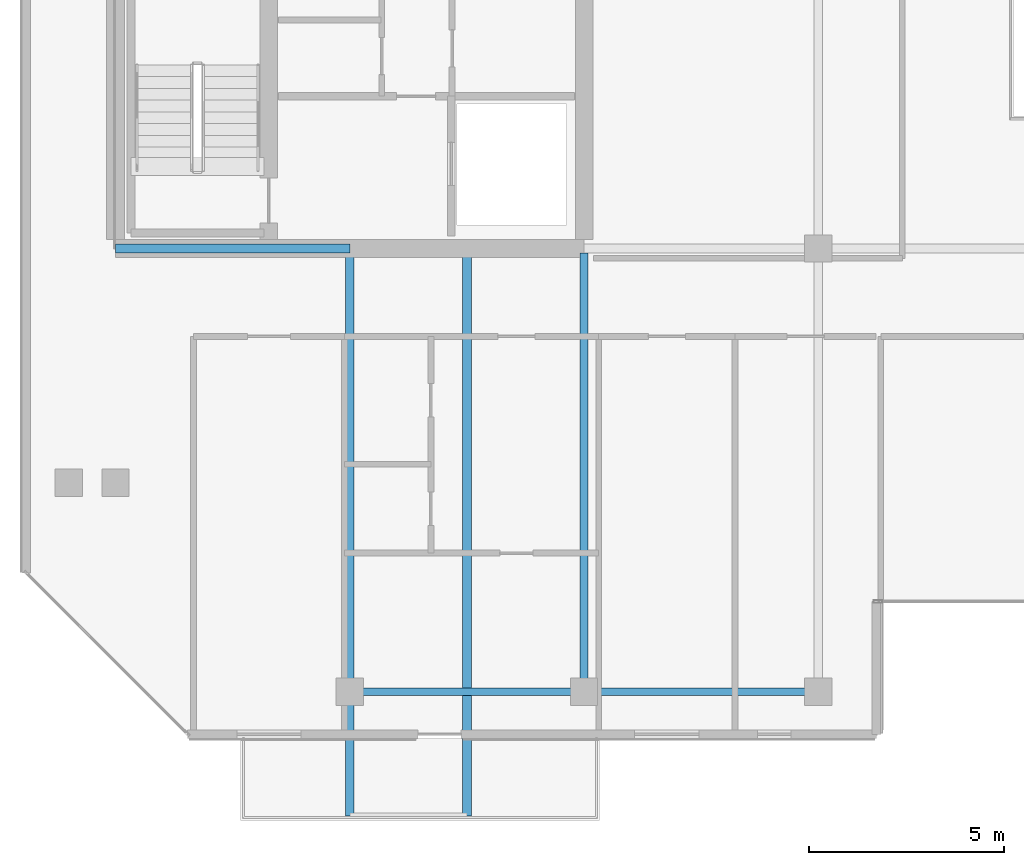
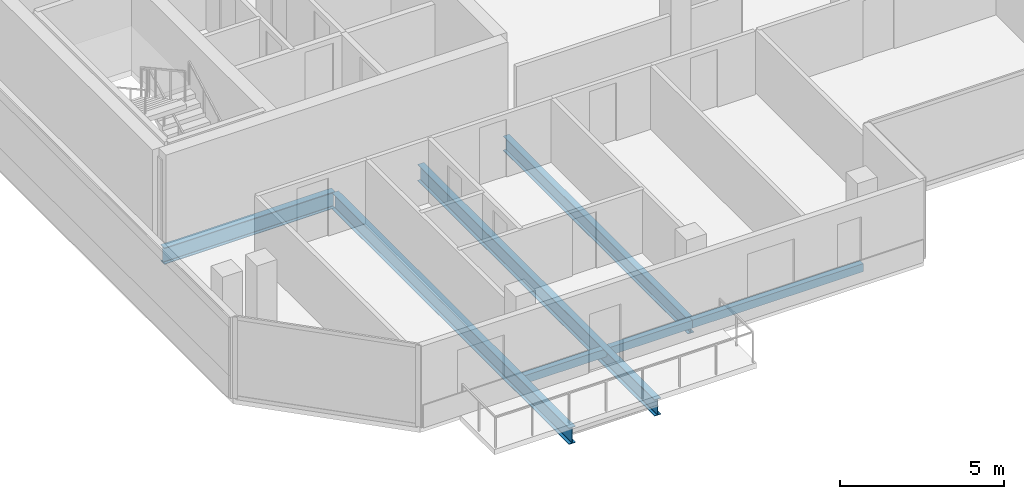
# One storey, part 3 of 24: 6 beams.
"""IFC4 building model written with IfcOpenShell, lengths in metres."""

from ifc_helpers import new_model, si_unit, direction, frame, origin, origin_2d, place, context, subcontext, project, spatial, hollow_rectangle, i_section, extrude, material, material_profile, profile_set, type_object, element, save


model = new_model("IFC4")

# Units and contexts
model_context = context("Model", 3, precision=1e-05, world=origin(), true_north=direction((0.0, 1.0)))
body_context = subcontext(model_context, "Body", "Model", "MODEL_VIEW")
ifc_project = project(units=[si_unit("LENGTHUNIT", "METRE"), si_unit("AREAUNIT", "SQUARE_METRE"), si_unit("VOLUMEUNIT", "CUBIC_METRE"), si_unit("PLANEANGLEUNIT", "RADIAN"), si_unit("MASSUNIT", "GRAM", prefix="KILO")], contexts=[model_context])

# Site, building, storey
site_placement = place(None, origin())
site = spatial("IfcSite", under=ifc_project, at=site_placement, CompositionType="ELEMENT")
building_placement = place(site_placement, origin())
building = spatial("IfcBuilding", under=site, at=building_placement, Name="Tanjung Sevakor Pilgrim Tower", CompositionType="ELEMENT")
storey_placement = place(building_placement, frame((0.0, 0.0, 226.050048828125)))
storey = spatial("IfcBuildingStorey", under=building, at=storey_placement, Name="L63", CompositionType="ELEMENT", Elevation=226.050048828125)

# Beams
ifc_material_1 = material(Name="Steel S355J2", Category="steel")
ifc_material_profile_1 = material_profile(ifc_material_1, i_section(OverallWidth=0.22900390625, OverallDepth=0.6123046875, WebThickness=0.011962890625, FlangeThickness=0.01953125, FilletRadius=0.0126953125, at=origin_2d()))
ifc_profile_set_1 = profile_set([ifc_material_profile_1], Name="Steel S355J2")
beam_type_1 = type_object("IfcBeamType", Name="BM-B-G4-UB_610x229x125", PredefinedType="BEAM", material=ifc_profile_set_1)
beam_1_placement = place(storey_placement, frame((24.0, 24.60009765625, -0.526123046875), z_axis=(1.0, 0.0, 0.0), x_axis=(0.0, 1.0, 0.0)))
element("IfcBeam", 1, at=beam_1_placement, inside=storey, type_object=beam_type_1, Name="L63 Primary Floor Girder MAIN Y246-01", PredefinedType="BEAM", context=body_context, shape_type="SweptSolid", body=[
    extrude(i_section(OverallWidth=0.22900390625, OverallDepth=0.6123046875, WebThickness=0.011962890625, FlangeThickness=0.01953125, FilletRadius=0.0126953125, at=origin_2d()), origin(), (0.0, 0.0, 1.0), 6.0),
])
for number, where, z_axis, x_axis, name in (
    (2, (30.0, 24.485595703125, -0.526123046875), (0.0, -1.0, 0.0), (1.0, 0.0, 0.0), "L63 Balcony Cantilever Beam MAIN-S1-1"),
    (3, (33.0, 24.485595703125, -0.526123046875), (0.0, -1.0, 0.0), (1.0, 0.0, 0.0), "L63 Balcony Cantilever Beam MAIN-S1-2"),
):
    element("IfcBeam", number, at=place(storey_placement, frame(where, z_axis=z_axis, x_axis=x_axis)), inside=storey, type_object=beam_type_1, Name=name, PredefinedType="BEAM", context=body_context, shape_type="SweptSolid", body=[
        extrude(i_section(OverallWidth=0.22900390625, OverallDepth=0.6123046875, WebThickness=0.011962890625, FlangeThickness=0.01953125, FilletRadius=0.0126953125, at=origin_2d()), origin(), (0.0, 0.0, 1.0), 14.41552734375),
    ])
ifc_material_2 = material(Name="Steel S355J2", Category="steel")
ifc_material_profile_2 = material_profile(ifc_material_2, i_section(OverallWidth=0.2119140625, OverallDepth=0.54443359375, WebThickness=0.0126953125, FlangeThickness=0.021240234375, FilletRadius=0.0126953125, at=origin_2d()))
ifc_profile_set_2 = profile_set([ifc_material_profile_2], Name="Steel S355J2")
beam_type_2 = type_object("IfcBeamType", Name="BM-B-G5-UB_533x210x122", PredefinedType="BEAM", material=ifc_profile_set_2)
beam_2_placement = place(storey_placement, frame((36.0, 13.25, -0.492431640625), z_axis=(0.0, 1.0, 0.0), x_axis=(-1.0, 0.0, 0.0)))
element("IfcBeam", 4, at=beam_2_placement, inside=storey, type_object=beam_type_2, Name="L63 MAIN Girder 001", PredefinedType="BEAM", context=body_context, shape_type="SweptSolid", body=[
    extrude(i_section(OverallWidth=0.2119140625, OverallDepth=0.54443359375, WebThickness=0.0126953125, FlangeThickness=0.021240234375, FilletRadius=0.0126953125, at=origin_2d()), origin(), (0.0, 0.0, 1.0), 11.235595703125),
])
ifc_material_3 = material(Name="Steel S355J2", Category="steel")
ifc_material_profile_3 = material_profile(ifc_material_3, hollow_rectangle(XDim=0.199951171875, YDim=0.300048828125, WallThickness=0.012451171875, at=origin_2d()))
ifc_profile_set_3 = profile_set([ifc_material_profile_3], Name="Steel S355J2")
beam_type_3 = type_object("IfcBeamType", Name="BM-B-SP3-RHS_300x200x12.5", PredefinedType="SPANDREL", material=ifc_profile_set_3)
for number, where, z_axis, x_axis, name in (
    (5, (30.0, 13.25, -0.3701171875), (1.0, 0.0, 0.0), (0.0, 1.0, 0.0), "L63 Spandrel MAIN S-01"),
    (6, (36.0, 13.25, -0.3701171875), (1.0, 0.0, 0.0), (0.0, 1.0, 0.0), "L63 Spandrel MAIN S-03"),
):
    element("IfcBeam", number, at=place(storey_placement, frame(where, z_axis=z_axis, x_axis=x_axis)), inside=storey, type_object=beam_type_3, Name=name, PredefinedType="SPANDREL", context=body_context, shape_type="SweptSolid", body=[
        extrude(hollow_rectangle(XDim=0.199951171875, YDim=0.300048828125, WallThickness=0.012451171875, at=origin_2d()), origin(), (0.0, 0.0, 1.0), 6.0),
    ])

save(model, "model.ifc")
